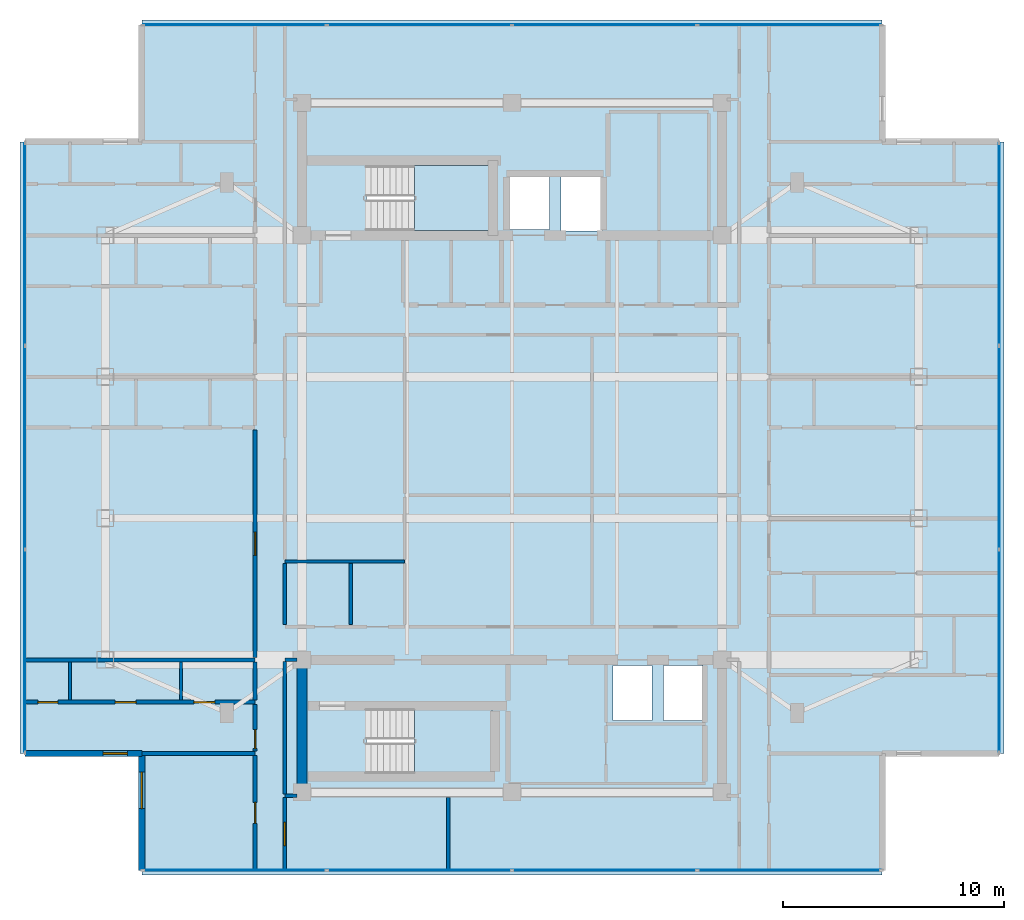
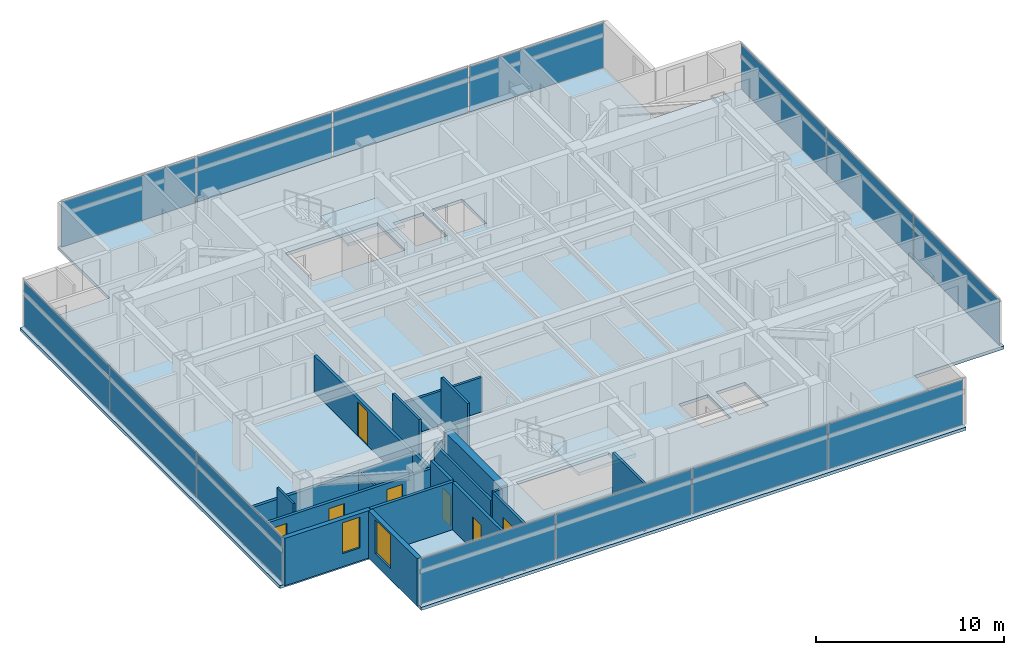
# One storey, part 7 of 14: 20 walls, 14 plates, 7 doors, 3 slabs, 2 windows, 9 openings, 6 elements without a shape of their own.
"""IFC4 building model written with IfcOpenShell, lengths in metres."""

import ifcopenshell
import ifcopenshell.guid

model = None  # the IFC model being written
_history = None  # IfcOwnerHistory: only IFC2X3 demands one
_inside = {}  # id of a spatial element -> (the spatial element, [elements in it])
_under = {}  # id of a project, library or spatial element -> (it, [spatial elements below it])
_declared = {}  # id of a project -> (the project, [libraries it declares])
_typed = {}  # id of a type object -> (the type object, [elements of that type])
_made_of = {}  # id of a material, layer set ... -> (it, [elements and type objects made of it])


def new_model(schema):
    """Start an empty IFC model of exactly this schema.

    Asked for "IFC4X3", IfcOpenShell would pick the latest addendum, in which some entities
    have other attributes; the version numbers below select the first issue.
    IFC2X3 requires an IfcOwnerHistory on every rooted entity: one is made here for all.
    """
    global model, _history
    if schema == "IFC4X3":
        model = ifcopenshell.file(schema_version=(4, 3, 0, 0))
    else:
        model = ifcopenshell.file(schema=schema)
    _inside.clear()
    _under.clear()
    _declared.clear()
    _typed.clear()
    _made_of.clear()
    _history = None
    if model.schema == "IFC2X3":
        org = make("IfcOrganization", Name="unknown")
        user = make(
            "IfcPersonAndOrganization",
            ThePerson=make("IfcPerson", FamilyName="unknown"),
            TheOrganization=org,
        )
        app = make(
            "IfcApplication",
            ApplicationDeveloper=org,
            Version="unknown",
            ApplicationFullName="unknown",
            ApplicationIdentifier="unknown",
        )
        _history = make(
            "IfcOwnerHistory",
            OwningUser=user,
            OwningApplication=app,
            ChangeAction="ADDED",
            CreationDate=0,
        )
    return model


def make(cls, **values):
    """One entity of the class cls with the attributes given. An attribute that is None is left unset."""
    return model.create_entity(
        cls, **{name: value for name, value in values.items() if value is not None}
    )


def rooted(cls, **values):
    """An entity with a GlobalId (a new one), such as an element, a storey or a relation."""
    return make(cls, GlobalId=ifcopenshell.guid.new(), OwnerHistory=_history, **values)


def si_unit(unit_type, name, prefix=None):
    """IfcSIUnit, for example si_unit("LENGTHUNIT", "METRE", prefix="MILLI")."""
    return make("IfcSIUnit", UnitType=unit_type, Prefix=prefix, Name=name)


def assignment(units):
    """IfcUnitAssignment: the units of a project."""
    return None if units is None else make("IfcUnitAssignment", Units=units)


def point(xyz):
    """IfcCartesianPoint."""
    return None if xyz is None else make("IfcCartesianPoint", Coordinates=xyz)


def direction(xyz):
    """IfcDirection."""
    return None if xyz is None else make("IfcDirection", DirectionRatios=xyz)


def frame(location, z_axis=None, x_axis=None):
    """IfcAxis2Placement3D, a coordinate frame: its origin and axes. An axis left out is left unset."""
    return make(
        "IfcAxis2Placement3D",
        Location=point(location),
        Axis=direction(z_axis),
        RefDirection=direction(x_axis),
    )


def frame_2d(location, x_axis=None):
    """IfcAxis2Placement2D, a coordinate frame in the plane: its origin and x axis."""
    return make(
        "IfcAxis2Placement2D", Location=point(location), RefDirection=direction(x_axis)
    )


def origin():
    """The frame at (0, 0, 0) with its axes left unset."""
    return frame((0.0, 0.0, 0.0))


def origin_2d():
    """The frame at (0, 0) in the plane with its x axis left unset."""
    return frame_2d((0.0, 0.0))


def place(relative_to, where):
    """IfcLocalPlacement: puts the frame where relative to a parent placement (None: the world)."""
    return make(
        "IfcLocalPlacement", PlacementRelTo=relative_to, RelativePlacement=where
    )


def context(
    kind, dimensions, precision=None, world=None, true_north=None, identifier=None
):
    """IfcGeometricRepresentationContext, for example the 3D "Model" context."""
    return make(
        "IfcGeometricRepresentationContext",
        ContextIdentifier=identifier,
        ContextType=kind,
        CoordinateSpaceDimension=dimensions,
        Precision=precision,
        WorldCoordinateSystem=world,
        TrueNorth=true_north,
    )


def subcontext(parent, identifier, kind, view, scale=None):
    """IfcGeometricRepresentationSubContext, for example "Body" below "Model"."""
    return make(
        "IfcGeometricRepresentationSubContext",
        ContextIdentifier=identifier,
        ContextType=kind,
        ParentContext=parent,
        TargetScale=scale,
        TargetView=view,
    )


def project(units=None, contexts=None):
    """IfcProject with its units and contexts."""
    return rooted(
        "IfcProject",
        Name="project",
        RepresentationContexts=contexts,
        UnitsInContext=assignment(units),
    )


def spatial(cls, under=None, at=None, **own):
    """A site, building, storey or space (cls), placed at a placement, below another one or the project."""
    s = rooted(cls, ObjectPlacement=at, **own)
    if under is not None:
        _under.setdefault(under.id(), (under, []))[1].append(s)
    return s


def polyline(points):
    """IfcPolyline through the points."""
    return make("IfcPolyline", Points=[point(p) for p in points])


def profile(cls, at=None, kind="AREA", **sizes):
    """A parametric profile (cls). Its sizes go by their IFC names, for example OverallWidth=200.0."""
    return make(cls, ProfileType=kind, Position=at, **sizes)


def rectangle(**sizes):
    """IfcRectangleProfileDef."""
    return profile("IfcRectangleProfileDef", **sizes)


def outline(outer, holes=None, kind="AREA"):
    """IfcArbitraryClosedProfileDef: a profile drawn as a closed curve; with holes, ...WithVoids."""
    if holes is None:
        return make("IfcArbitraryClosedProfileDef", ProfileType=kind, OuterCurve=outer)
    return make(
        "IfcArbitraryProfileDefWithVoids",
        ProfileType=kind,
        OuterCurve=outer,
        InnerCurves=holes,
    )


def extrude(swept, where, along, depth):
    """IfcExtrudedAreaSolid: the profile swept, set in the frame where, extruded along a direction by depth."""
    return make(
        "IfcExtrudedAreaSolid",
        SweptArea=swept,
        Position=where,
        ExtrudedDirection=direction(along),
        Depth=depth,
    )


def shape(context_of_items, identifier, shape_type, items):
    """IfcShapeRepresentation: the items that make up one representation, for example the "Body"."""
    return make(
        "IfcShapeRepresentation",
        ContextOfItems=context_of_items,
        RepresentationIdentifier=identifier,
        RepresentationType=shape_type,
        Items=items,
    )


def material(Name=None, Category=None):
    """IfcMaterial."""
    return make("IfcMaterial", Name=Name, Category=Category)


def layer(
    of_material, thickness, ventilated=None, Name=None, Category=None, Priority=None
):
    """IfcMaterialLayer: one layer of a wall or slab, of a material (None: an air gap)."""
    return make(
        "IfcMaterialLayer",
        Material=of_material,
        LayerThickness=thickness,
        IsVentilated=ventilated,
        Name=Name,
        Category=Category,
        Priority=Priority,
    )


def layer_set(layers, Name=None):
    """IfcMaterialLayerSet."""
    return make("IfcMaterialLayerSet", MaterialLayers=layers, LayerSetName=Name)


def made_of(thing, what):
    """Note that an element or type object is made of a material, layer set ...; save() writes the relation."""
    if what is not None:
        _made_of.setdefault(what.id(), (what, []))[1].append(thing)
    return thing


def type_object(cls, material=None, **own):
    """A type object (cls), such as IfcWallType, which elements share."""
    return made_of(rooted(cls, **own), material)


def element(
    cls,
    number,
    at=None,
    inside=None,
    cuts=None,
    type_object=None,
    material=None,
    context=None,
    identifier="Body",
    shape_type=None,
    held_by="IfcProductDefinitionShape",
    body=None,
    shapes=None,
    **own,
):
    """One element of the class cls, such as IfcWall. Its Tag is "e" and its number.

    at: its placement. inside: the storey or other place that contains it. cuts: it is an
    opening in that element (IfcRelVoidsElement). A single representation is given by context,
    identifier, shape_type and body (its items); several are given by shapes. held_by: the class
    of the entity that holds the representations. save() writes the other relations.
    """
    e = rooted(cls, Tag="e%d" % number, ObjectPlacement=at, **own)
    if body is not None:
        shapes = [shape(context, identifier, shape_type, body)]
    if shapes is not None:
        e.Representation = make(held_by, Representations=shapes)
    if inside is not None:
        _inside.setdefault(inside.id(), (inside, []))[1].append(e)
    if cuts is not None:
        rooted(
            "IfcRelVoidsElement", RelatingBuildingElement=cuts, RelatedOpeningElement=e
        )
    if type_object is not None:
        _typed.setdefault(type_object.id(), (type_object, []))[1].append(e)
    return made_of(e, material)


def fill(opening, filler):
    """IfcRelFillsElement: the door or window that sits in an opening."""
    return rooted(
        "IfcRelFillsElement",
        RelatingOpeningElement=opening,
        RelatedBuildingElement=filler,
    )


def aggregate(whole, parts):
    """IfcRelAggregates: a whole, such as a stair, and the parts it consists of."""
    return rooted("IfcRelAggregates", RelatingObject=whole, RelatedObjects=parts)


def save(model, path):
    """Write the relations noted so far, then the file.

    IfcRelAggregates (storeys below a building ...), IfcRelContainedInSpatialStructure (elements
    in a storey), IfcRelDefinesByType, IfcRelAssociatesMaterial and IfcRelDeclares: one each for
    every whole, place, type object, material and project.
    """
    for whole, parts in _under.values():
        aggregate(whole, parts)
    for where, things in _inside.values():
        rooted(
            "IfcRelContainedInSpatialStructure",
            RelatedElements=things,
            RelatingStructure=where,
        )
    for kind, things in _typed.values():
        rooted("IfcRelDefinesByType", RelatedObjects=things, RelatingType=kind)
    for what, things in _made_of.values():
        rooted("IfcRelAssociatesMaterial", RelatedObjects=things, RelatingMaterial=what)
    for by, libraries in _declared.values():
        rooted("IfcRelDeclares", RelatingContext=by, RelatedDefinitions=libraries)
    model.write(path)


model = new_model("IFC4")

# Units and contexts
model_context = context("Model", 3, precision=1e-05, world=origin(), true_north=direction((0.0, 1.0)))
body_context = subcontext(model_context, "Body", "Model", "MODEL_VIEW")
ifc_project = project(units=[si_unit("LENGTHUNIT", "METRE"), si_unit("AREAUNIT", "SQUARE_METRE"), si_unit("VOLUMEUNIT", "CUBIC_METRE"), si_unit("PLANEANGLEUNIT", "RADIAN"), si_unit("MASSUNIT", "GRAM", prefix="KILO")], contexts=[model_context])

# Site, building, storey
site_placement = place(None, origin())
site = spatial("IfcSite", under=ifc_project, at=site_placement, CompositionType="ELEMENT")
building_placement = place(site_placement, origin())
building = spatial("IfcBuilding", under=site, at=building_placement, Name="Mirazonda Arch Towers", CompositionType="ELEMENT")
storey_placement = place(building_placement, frame((0.0, 0.0, 242.5)))
storey = spatial("IfcBuildingStorey", under=building, at=storey_placement, Name="L69", CompositionType="ELEMENT", Elevation=242.5)

# Curtain wall, plates
ifc_material_1 = material(Name="Anodised Aluminium and Low-E Glass", Category="aluminium")
curtain_wall_type = type_object("IfcCurtainWallType", Name="CW-RES-UNIT", PredefinedType="NOTDEFINED", material=ifc_material_1)
curtain_wall_1_placement = place(storey_placement, origin())
curtain_wall_1 = element("IfcCurtainWall", 1, at=curtain_wall_1_placement, inside=storey, type_object=curtain_wall_type, Name="L69 T1 S Facade CW-L69-T1-S", PredefinedType="NOTDEFINED")
ifc_material_2 = material(Name="Insulated Low-E Solar Glass", Category="glass")
ifc_layer_1 = layer(ifc_material_2, 0.0400390625, Name="PAN-CW-RES-UNIT")
ifc_layer_set_1 = layer_set([ifc_layer_1], Name="Insulated Low-E Solar Glass")
plate_type = type_object("IfcPlateType", Name="PAN-CW-RES-UNIT", PredefinedType="CURTAIN_PANEL", material=ifc_layer_set_1)
plate_1_placement = place(storey_placement, frame((33.043701171875, 8.8740234375, 0.0751953125), z_axis=(0.0, 0.0, 1.0), x_axis=(-1.0, 0.0, 0.0)))
plate_1 = element("IfcPlate", 2, at=plate_1_placement, type_object=plate_type, Name="CW-104 panel 1.1", PredefinedType="CURTAIN_PANEL", context=body_context, shape_type="SweptSolid", body=[
    extrude(rectangle(XDim=8.262451171875, YDim=0.0400390625, at=origin_2d()), origin(), (0.0, 0.0, 1.0), 2.929931640625),
])
plate_2_placement = place(storey_placement, frame((24.6875, 8.8740234375, 0.0751953125), z_axis=(0.0, 0.0, 1.0), x_axis=(-1.0, 0.0, 0.0)))
plate_2 = element("IfcPlate", 3, at=plate_2_placement, type_object=plate_type, Name="CW-104 panel 2.1", PredefinedType="CURTAIN_PANEL", context=body_context, shape_type="SweptSolid", body=[
    extrude(rectangle(XDim=8.300048828125, YDim=0.0400390625, at=origin_2d()), origin(), (0.0, 0.0, 1.0), 2.929931640625),
])
plate_3_placement = place(storey_placement, frame((16.3125, 8.8740234375, 0.0751953125), z_axis=(0.0, 0.0, 1.0), x_axis=(-1.0, 0.0, 0.0)))
plate_3 = element("IfcPlate", 4, at=plate_3_placement, type_object=plate_type, Name="CW-104 panel 3.1", PredefinedType="CURTAIN_PANEL", context=body_context, shape_type="SweptSolid", body=[
    extrude(rectangle(XDim=8.300048828125, YDim=0.0400390625, at=origin_2d()), origin(), (0.0, 0.0, 1.0), 2.929931640625),
])
plate_4_placement = place(storey_placement, frame((7.956298828125, 8.8740234375, 0.0751953125), z_axis=(0.0, 0.0, 1.0), x_axis=(-1.0, 0.0, 0.0)))
plate_4 = element("IfcPlate", 5, at=plate_4_placement, type_object=plate_type, Name="CW-104 panel 4.1", PredefinedType="CURTAIN_PANEL", context=body_context, shape_type="SweptSolid", body=[
    extrude(rectangle(XDim=8.262451171875, YDim=0.0400390625, at=origin_2d()), origin(), (0.0, 0.0, 1.0), 2.929931640625),
])
aggregate(curtain_wall_1, [plate_1, plate_2, plate_3, plate_4])

curtain_wall_2_placement = place(storey_placement, origin())
curtain_wall_2 = element("IfcCurtainWall", 6, at=curtain_wall_2_placement, inside=storey, type_object=curtain_wall_type, Name="L69 T1 E Facade CW-L69-T1-E", PredefinedType="NOTDEFINED")
plate_5_placement = place(storey_placement, frame((42.5400390625, 18.794677734375, 0.0751953125), z_axis=(0.0, 0.0, 1.0), x_axis=(0.0, 1.0, 0.0)))
plate_5 = element("IfcPlate", 7, at=plate_5_placement, type_object=plate_type, Name="CW-104 panel 1.1", PredefinedType="CURTAIN_PANEL", context=body_context, shape_type="SweptSolid", body=[
    extrude(rectangle(XDim=9.111572265625, YDim=0.0400390625, at=origin_2d()), origin(), (0.0, 0.0, 1.0), 2.929931640625),
])
plate_6_placement = place(storey_placement, frame((42.5400390625, 28.0, 0.0751953125), z_axis=(0.0, 0.0, 1.0), x_axis=(0.0, 1.0, 0.0)))
plate_6 = element("IfcPlate", 8, at=plate_6_placement, type_object=plate_type, Name="CW-104 panel 2.1", PredefinedType="CURTAIN_PANEL", context=body_context, shape_type="SweptSolid", body=[
    extrude(rectangle(XDim=9.14892578125, YDim=0.0400390625, at=origin_2d()), origin(), (0.0, 0.0, 1.0), 2.929931640625),
])
plate_7_placement = place(storey_placement, frame((42.5400390625, 37.205322265625, 0.0751953125), z_axis=(0.0, 0.0, 1.0), x_axis=(0.0, 1.0, 0.0)))
plate_7 = element("IfcPlate", 9, at=plate_7_placement, type_object=plate_type, Name="CW-104 panel 3.1", PredefinedType="CURTAIN_PANEL", context=body_context, shape_type="SweptSolid", body=[
    extrude(rectangle(XDim=9.111572265625, YDim=0.0400390625, at=origin_2d()), origin(), (0.0, 0.0, 1.0), 2.929931640625),
])
aggregate(curtain_wall_2, [plate_5, plate_6, plate_7])

curtain_wall_3_placement = place(storey_placement, origin())
curtain_wall_3 = element("IfcCurtainWall", 10, at=curtain_wall_3_placement, inside=storey, type_object=curtain_wall_type, Name="L69 T1 N Facade CW-L69-T1-N", PredefinedType="NOTDEFINED")
plate_8_placement = place(storey_placement, frame((7.956298828125, 47.1259765625, 0.0751953125), z_axis=(0.0, 0.0, 1.0), x_axis=(1.0, 0.0, 0.0)))
plate_8 = element("IfcPlate", 11, at=plate_8_placement, type_object=plate_type, Name="CW-104 panel 1.1", PredefinedType="CURTAIN_PANEL", context=body_context, shape_type="SweptSolid", body=[
    extrude(rectangle(XDim=8.262451171875, YDim=0.0400390625, at=origin_2d()), origin(), (0.0, 0.0, 1.0), 2.929931640625),
])
plate_9_placement = place(storey_placement, frame((16.3125, 47.1259765625, 0.0751953125), z_axis=(0.0, 0.0, 1.0), x_axis=(1.0, 0.0, 0.0)))
plate_9 = element("IfcPlate", 12, at=plate_9_placement, type_object=plate_type, Name="CW-104 panel 2.1", PredefinedType="CURTAIN_PANEL", context=body_context, shape_type="SweptSolid", body=[
    extrude(rectangle(XDim=8.300048828125, YDim=0.0400390625, at=origin_2d()), origin(), (0.0, 0.0, 1.0), 2.929931640625),
])
plate_10_placement = place(storey_placement, frame((24.6875, 47.1259765625, 0.0751953125), z_axis=(0.0, 0.0, 1.0), x_axis=(1.0, 0.0, 0.0)))
plate_10 = element("IfcPlate", 13, at=plate_10_placement, type_object=plate_type, Name="CW-104 panel 3.1", PredefinedType="CURTAIN_PANEL", context=body_context, shape_type="SweptSolid", body=[
    extrude(rectangle(XDim=8.300048828125, YDim=0.0400390625, at=origin_2d()), origin(), (0.0, 0.0, 1.0), 2.929931640625),
])
plate_11_placement = place(storey_placement, frame((33.043701171875, 47.1259765625, 0.0751953125), z_axis=(0.0, 0.0, 1.0), x_axis=(1.0, 0.0, 0.0)))
plate_11 = element("IfcPlate", 14, at=plate_11_placement, type_object=plate_type, Name="CW-104 panel 4.1", PredefinedType="CURTAIN_PANEL", context=body_context, shape_type="SweptSolid", body=[
    extrude(rectangle(XDim=8.262451171875, YDim=0.0400390625, at=origin_2d()), origin(), (0.0, 0.0, 1.0), 2.929931640625),
])
aggregate(curtain_wall_3, [plate_8, plate_9, plate_10, plate_11])

curtain_wall_4_placement = place(storey_placement, origin())
curtain_wall_4 = element("IfcCurtainWall", 15, at=curtain_wall_4_placement, inside=storey, type_object=curtain_wall_type, Name="L69 T1 W Facade CW-L69-T1-W", PredefinedType="NOTDEFINED")
plate_12_placement = place(storey_placement, frame((-1.5400390625, 37.205322265625, 0.0751953125), z_axis=(0.0, 0.0, 1.0), x_axis=(0.0, -1.0, 0.0)))
plate_12 = element("IfcPlate", 16, at=plate_12_placement, type_object=plate_type, Name="CW-104 panel 1.1", PredefinedType="CURTAIN_PANEL", context=body_context, shape_type="SweptSolid", body=[
    extrude(rectangle(XDim=9.111572265625, YDim=0.0400390625, at=origin_2d()), origin(), (0.0, 0.0, 1.0), 2.929931640625),
])
plate_13_placement = place(storey_placement, frame((-1.5400390625, 28.0, 0.0751953125), z_axis=(0.0, 0.0, 1.0), x_axis=(0.0, -1.0, 0.0)))
plate_13 = element("IfcPlate", 17, at=plate_13_placement, type_object=plate_type, Name="CW-104 panel 2.1", PredefinedType="CURTAIN_PANEL", context=body_context, shape_type="SweptSolid", body=[
    extrude(rectangle(XDim=9.14892578125, YDim=0.0400390625, at=origin_2d()), origin(), (0.0, 0.0, 1.0), 2.929931640625),
])
plate_14_placement = place(storey_placement, frame((-1.5400390625, 18.794677734375, 0.0751953125), z_axis=(0.0, 0.0, 1.0), x_axis=(0.0, -1.0, 0.0)))
plate_14 = element("IfcPlate", 18, at=plate_14_placement, type_object=plate_type, Name="CW-104 panel 3.1", PredefinedType="CURTAIN_PANEL", context=body_context, shape_type="SweptSolid", body=[
    extrude(rectangle(XDim=9.111572265625, YDim=0.0400390625, at=origin_2d()), origin(), (0.0, 0.0, 1.0), 2.929931640625),
])
aggregate(curtain_wall_4, [plate_12, plate_13, plate_14])

# Stair, slab
ifc_material_3 = material(Name="Concrete C40/50", Category="concrete")
stair_type = type_object("IfcStairType", Name="STAIR-CORE-1400", PredefinedType="HALF_TURN_STAIR", material=ifc_material_3)
stair_1_placement = place(storey_placement, origin())
stair_1 = element("IfcStair", 19, at=stair_1_placement, inside=storey, type_object=stair_type, Name="L69 Protected Exit Stair ST-T1N", PredefinedType="HALF_TURN_STAIR")
ifc_layer_2 = layer(ifc_material_3, 0.18994140625, Name="SLAB-LANDING-190")
ifc_layer_set_2 = layer_set([ifc_layer_2], Name="Concrete C40/50")
slab_type_1 = type_object("IfcSlabType", Name="SLAB-LANDING-190", PredefinedType="LANDING", material=ifc_layer_set_2)
slab_1_placement = place(storey_placement, frame((0.0, 0.0, 1.449951171875)))
slab_1 = element("IfcSlab", 20, at=slab_1_placement, type_object=slab_type_1, Name="ST-T1N landing 1", PredefinedType="LANDING", context=body_context, shape_type="SweptSolid", body=[
    extrude(outline(polyline([(16.090087890625, 37.820068359375), (19.60009765625, 37.820068359375), (19.60009765625, 40.760009765625), (16.090087890625, 40.760009765625), (16.090087890625, 37.820068359375)])), origin(), (0.0, 0.0, 1.0), 0.199951171875),
])
aggregate(stair_1, [slab_1])

stair_2_placement = place(storey_placement, origin())
stair_2 = element("IfcStair", 21, at=stair_2_placement, inside=storey, type_object=stair_type, Name="L69 Protected Exit Stair ST-T1S", PredefinedType="HALF_TURN_STAIR")
slab_2_placement = place(storey_placement, frame((0.0, 0.0, 1.449951171875)))
slab_2 = element("IfcSlab", 22, at=slab_2_placement, type_object=slab_type_1, Name="ST-T1S landing 1", PredefinedType="LANDING", context=body_context, shape_type="SweptSolid", body=[
    extrude(outline(polyline([(16.090087890625, 13.25), (19.60009765625, 13.25), (19.60009765625, 16.18994140625), (16.090087890625, 16.18994140625), (16.090087890625, 13.25)])), origin(), (0.0, 0.0, 1.0), 0.199951171875),
])
aggregate(stair_2, [slab_2])

# Slab
ifc_layer_3 = layer(ifc_material_3, 0.199951171875, Name="SLAB-TWR-200")
ifc_layer_set_3 = layer_set([ifc_layer_3], Name="Concrete C40/50")
slab_type_2 = type_object("IfcSlabType", Name="SLAB-TWR-200", PredefinedType="FLOOR", material=ifc_layer_set_3)
slab_3_placement = place(storey_placement, frame((0.0, 0.0, -0.199951171875)))
element("IfcSlab", 23, at=slab_3_placement, inside=storey, type_object=slab_type_2, Name="L69 Tower 1 Floor Slab", PredefinedType="FLOOR", context=body_context, shape_type="SweptSolid", body=[
    extrude(outline(polyline([(3.75, 8.654052734375), (37.25, 8.654052734375), (37.25, 14.1640625), (42.760009765625, 14.1640625), (42.760009765625, 41.8359375), (37.25, 41.8359375), (37.25, 47.345947265625), (3.75, 47.345947265625), (3.75, 41.8359375), (-1.760009765625, 41.8359375), (-1.760009765625, 14.1640625), (3.75, 14.1640625), (3.75, 8.654052734375)]), holes=[polyline([(27.360107421875, 18.139892578125), (29.139892578125, 18.139892578125), (29.139892578125, 15.659912109375), (27.360107421875, 15.659912109375), (27.360107421875, 18.139892578125)]), polyline([(25.06005859375, 18.139892578125), (26.840087890625, 18.139892578125), (26.840087890625, 15.659912109375), (25.06005859375, 15.659912109375), (25.06005859375, 18.139892578125)]), polyline([(22.7099609375, 40.389892578125), (24.590087890625, 40.389892578125), (24.590087890625, 37.81005859375), (22.7099609375, 37.81005859375), (22.7099609375, 40.389892578125)]), polyline([(20.31005859375, 37.860107421875), (20.31005859375, 40.340087890625), (22.18994140625, 40.340087890625), (22.18994140625, 37.860107421875), (20.31005859375, 37.860107421875)]), polyline([(19.60009765625, 13.25), (13.925048828125, 13.25), (13.925048828125, 16.18994140625), (19.60009765625, 16.18994140625), (19.60009765625, 13.25)]), polyline([(13.925048828125, 37.820068359375), (13.925048828125, 40.760009765625), (19.60009765625, 40.760009765625), (19.60009765625, 37.820068359375), (13.925048828125, 37.820068359375)])]), origin(), (0.0, 0.0, 1.0), 0.199951171875),
])

# Wall
ifc_material_4 = material(Name="Concrete C50/60", Category="concrete")
ifc_layer_4 = layer(ifc_material_4, 0.449951171875, Name="WALL-CORE-450")
ifc_layer_set_4 = layer_set([ifc_layer_4], Name="Concrete C50/60")
wall_type_1 = type_object("IfcWallType", Name="WALL-CORE-450", PredefinedType="SHEAR", material=ifc_layer_set_4)
wall_1_placement = place(storey_placement, frame((11.0, 12.39990234375, 0.0), z_axis=(0.0, 0.0, 1.0), x_axis=(0.0, 1.0, 0.0)))
element("IfcWall", 24, at=wall_1_placement, inside=storey, type_object=wall_type_1, Name="L69 T1S-W Core Shear Wall", PredefinedType="SHEAR", context=body_context, shape_type="SweptSolid", body=[
    extrude(rectangle(XDim=6.0, YDim=0.449951171875, at=frame_2d((3.0, 0.0))), origin(), (0.0, 0.0, 1.0), 3.10009765625),
])

# Wall, opening, window
ifc_material_5 = material(Name="Precast Concrete C40/50", Category="concrete")
ifc_layer_5 = layer(ifc_material_5, 0.280029296875, Name="WALL-EXT-WALL-280")
ifc_layer_set_5 = layer_set([ifc_layer_5], Name="Precast Concrete C40/50")
wall_type_2 = type_object("IfcWallType", Name="WALL-EXT-WALL-280", PredefinedType="SOLIDWALL", material=ifc_layer_set_5)
wall_2_placement = place(storey_placement, frame((3.75, 14.1640625, 0.0), z_axis=(0.0, 0.0, 1.0), x_axis=(0.0, -1.0, 0.0)))
wall_2 = element("IfcWall", 25, at=wall_2_placement, inside=storey, type_object=wall_type_2, Name="L69 T1 Notched SW Corner Wall WL-L69-T1-CSW", PredefinedType="SOLIDWALL", context=body_context, shape_type="SweptSolid", body=[
    extrude(rectangle(XDim=5.2900390625, YDim=0.280029296875, at=frame_2d((2.64501953125, 0.0))), origin(), (0.0, 0.0, 1.0), 3.080078125),
])
opening_1_placement = place(wall_2_placement, frame((0.85009765625, 0.0, 0.72998046875)))
opening_1 = element("IfcOpeningElement", 26, at=opening_1_placement, cuts=wall_2, Name="Opening WN-115", PredefinedType="OPENING", context=body_context, shape_type="SweptSolid", body=[
    extrude(rectangle(XDim=1.64990234375, YDim=2.199951171875, at=frame_2d((0.824951171875, 1.10009765625))), frame((0.0, 0.14990234375, 0.0), z_axis=(0.0, -1.0, 0.0), x_axis=(1.0, 0.0, 0.0)), (0.0, 0.0, 1.0), 0.300048828125),
])
window_type_1 = type_object("IfcWindowType", Name="WIN-RES-1650x2200", PartitioningType="SINGLE_PANEL", PredefinedType="WINDOW", material=ifc_material_2)
window_1_placement = place(opening_1_placement, origin())
window_1 = element("IfcWindow", 27, at=window_1_placement, inside=storey, type_object=window_type_1, Name="L69 Punched Facade Window WN-L69-T1-CSW", OverallHeight=2.199951171875, OverallWidth=1.64990234375, PartitioningType="SINGLE_PANEL", PredefinedType="WINDOW", context=body_context, shape_type="SweptSolid", body=[
    extrude(rectangle(XDim=1.64990234375, YDim=2.199951171875, at=frame_2d((0.824951171875, 1.10009765625))), frame((0.0, 0.030029296875, 0.0), z_axis=(0.0, -1.0, 0.0), x_axis=(1.0, 0.0, 0.0)), (0.0, 0.0, 1.0), 0.06005859375),
])
fill(opening_1, window_1)

wall_3_placement = place(storey_placement, frame((-1.5400390625, 14.1640625, 0.0), z_axis=(0.0, 0.0, 1.0), x_axis=(1.0, 0.0, 0.0)))
wall_3 = element("IfcWall", 28, at=wall_3_placement, inside=storey, type_object=wall_type_2, Name="L69 T1 Corner Notch Return Wall WL-L69-T1-CSW2", PredefinedType="SOLIDWALL", context=body_context, shape_type="SweptSolid", body=[
    extrude(rectangle(XDim=5.2900390625, YDim=0.280029296875, at=frame_2d((2.64501953125, 0.0))), origin(), (0.0, 0.0, 1.0), 3.080078125),
])
opening_2_placement = place(wall_3_placement, frame((3.5400390625, 0.0, 0.85009765625)))
opening_2 = element("IfcOpeningElement", 29, at=opening_2_placement, cuts=wall_3, Name="Opening WN-108", PredefinedType="OPENING", context=body_context, shape_type="SweptSolid", body=[
    extrude(rectangle(XDim=1.10009765625, YDim=2.0, at=frame_2d((0.550048828125, 1.0))), frame((0.0, 0.14990234375, 0.0), z_axis=(0.0, -1.0, 0.0), x_axis=(1.0, 0.0, 0.0)), (0.0, 0.0, 1.0), 0.300048828125),
])
window_type_2 = type_object("IfcWindowType", Name="WIN-NOTCH-1100x2000", PartitioningType="SINGLE_PANEL", PredefinedType="WINDOW", material=ifc_material_2)
window_2_placement = place(opening_2_placement, origin())
window_2 = element("IfcWindow", 30, at=window_2_placement, inside=storey, type_object=window_type_2, Name="L69 Punched Facade Window WN-L69-T1-CSW2", OverallHeight=2.0, OverallWidth=1.10009765625, PartitioningType="SINGLE_PANEL", PredefinedType="WINDOW", context=body_context, shape_type="SweptSolid", body=[
    extrude(rectangle(XDim=1.10009765625, YDim=2.0, at=frame_2d((0.550048828125, 1.0))), frame((0.0, 0.030029296875, 0.0), z_axis=(0.0, -1.0, 0.0), x_axis=(1.0, 0.0, 0.0)), (0.0, 0.0, 1.0), 0.06005859375),
])
fill(opening_2, window_2)

# Walls
ifc_material_6 = material(Name="Fire-Rated Gypsum Stud Partition")
ifc_layer_6 = layer(ifc_material_6, 0.14990234375, Name="WALL-PART-CORR-150")
ifc_layer_set_6 = layer_set([ifc_layer_6], Name="Fire-Rated Gypsum Stud Partition")
wall_type_3 = type_object("IfcWallType", Name="WALL-PART-CORR-150", PredefinedType="PARTITIONING", material=ifc_layer_set_6)
wall_4_placement = place(storey_placement, frame((10.219970703125, 12.25, 0.0), z_axis=(0.0, 0.0, 1.0), x_axis=(1.0, 0.0, 0.0)))
element("IfcWall", 31, at=wall_4_placement, inside=storey, type_object=wall_type_3, Name="L69 Interior Partition 001", PredefinedType="PARTITIONING", context=body_context, shape_type="SweptSolid", body=[
    extrude(rectangle(XDim=0.56005859375, YDim=0.14990234375, at=frame_2d((0.280029296875, 0.0))), origin(), (0.0, 0.0, 1.0), 3.10009765625),
])
wall_5_placement = place(storey_placement, frame((10.219970703125, 18.39990234375, 0.0), z_axis=(0.0, 0.0, 1.0), x_axis=(1.0, 0.0, 0.0)))
element("IfcWall", 32, at=wall_5_placement, inside=storey, type_object=wall_type_3, Name="L69 Interior Partition 012", PredefinedType="PARTITIONING", context=body_context, shape_type="SweptSolid", body=[
    extrude(rectangle(XDim=0.56005859375, YDim=0.14990234375, at=frame_2d((0.280029296875, 0.0))), origin(), (0.0, 0.0, 1.0), 2.491943359375),
])
wall_6_placement = place(storey_placement, frame((10.219970703125, 22.85009765625, 0.0), z_axis=(0.0, 0.0, 1.0), x_axis=(1.0, 0.0, 0.0)))
element("IfcWall", 33, at=wall_6_placement, inside=storey, type_object=wall_type_3, Name="L69 Interior Partition 017", PredefinedType="PARTITIONING", context=body_context, shape_type="SweptSolid", body=[
    extrude(rectangle(XDim=5.419921875, YDim=0.14990234375, at=frame_2d((2.7099609375, 0.0))), origin(), (0.0, 0.0, 1.0), 2.236083984375),
])

# Wall, opening, door
wall_7_placement = place(storey_placement, frame((10.219970703125, 8.8740234375, 0.0), z_axis=(0.0, 0.0, 1.0), x_axis=(0.0, 1.0, 0.0)))
wall_7 = element("IfcWall", 34, at=wall_7_placement, inside=storey, type_object=wall_type_3, Name="L69 Interior Partition 057", PredefinedType="PARTITIONING", context=body_context, shape_type="SweptSolid", body=[
    extrude(rectangle(XDim=3.291015625, YDim=0.14990234375, at=frame_2d((1.6455078125, 0.0))), origin(), (0.0, 0.0, 1.0), 3.10009765625),
])
opening_3_placement = place(wall_7_placement, frame((1.12060546875, 0.0, 0.0)))
opening_3 = element("IfcOpeningElement", 35, at=opening_3_placement, cuts=wall_7, Name="Opening DR-121", PredefinedType="OPENING", context=body_context, shape_type="SweptSolid", body=[
    extrude(rectangle(XDim=1.050048828125, YDim=2.199951171875, at=frame_2d((0.52490234375, 1.10009765625))), frame((0.0, 0.0849609375, 0.0), z_axis=(0.0, -1.0, 0.0), x_axis=(1.0, 0.0, 0.0)), (0.0, 0.0, 1.0), 0.169921875),
])
ifc_material_7 = material(Name="Architectural Brushed Steel S355", Category="steel")
door_type_1 = type_object("IfcDoorType", Name="DOOR-SUITE-FD60-1050", OperationType="NOTDEFINED", PredefinedType="DOOR", material=ifc_material_7)
door_1_placement = place(opening_3_placement, origin())
door_1 = element("IfcDoor", 36, at=door_1_placement, inside=storey, type_object=door_type_1, Name="L69 South Panoramic Study Minor Door", OperationType="SINGLE_SWING_LEFT", OverallHeight=2.199951171875, OverallWidth=1.050048828125, PredefinedType="DOOR", context=body_context, shape_type="SweptSolid", body=[
    extrude(rectangle(XDim=1.050048828125, YDim=2.199951171875, at=frame_2d((0.52490234375, 1.10009765625))), frame((0.0, 0.02490234375, 0.0), z_axis=(0.0, -1.0, 0.0), x_axis=(1.0, 0.0, 0.0)), (0.0, 0.0, 1.0), 0.050048828125),
])
fill(opening_3, door_1)

# Walls
wall_8_placement = place(storey_placement, frame((10.219970703125, 12.3349609375, 0.0), z_axis=(0.0, 0.0, 1.0), x_axis=(0.0, 1.0, 0.0)))
element("IfcWall", 37, at=wall_8_placement, inside=storey, type_object=wall_type_3, Name="L69 Interior Partition 058", PredefinedType="PARTITIONING", context=body_context, shape_type="SweptSolid", body=[
    extrude(rectangle(XDim=5.97998046875, YDim=0.14990234375, at=frame_2d((2.989990234375, 0.0))), origin(), (0.0, 0.0, 1.0), 2.491943359375),
])
for number, where, z_axis, x_axis, name in (
    (38, (10.219970703125, 19.985107421875, 0.0), (0.0, 0.0, 1.0), (0.0, 1.0, 0.0), "L69 Interior Partition 059"),
    (39, (13.199951171875, 19.985107421875, 0.0), (0.0, 0.0, 1.0), (0.0, 1.0, 0.0), "L69 Interior Partition 064"),
):
    element("IfcWall", number, at=place(storey_placement, frame(where, z_axis=z_axis, x_axis=x_axis)), inside=storey, type_object=wall_type_3, Name=name, PredefinedType="PARTITIONING", context=body_context, shape_type="SweptSolid", body=[
        extrude(rectangle(XDim=2.77978515625, YDim=0.14990234375, at=frame_2d((1.389892578125, 0.0))), origin(), (0.0, 0.0, 1.0), 3.10009765625),
    ])
wall_9_placement = place(storey_placement, frame((17.6220703125, 8.8740234375, 0.0), z_axis=(0.0, 0.0, 1.0), x_axis=(0.0, 1.0, 0.0)))
element("IfcWall", 40, at=wall_9_placement, inside=storey, type_object=wall_type_3, Name="L69 Interior Partition 069", PredefinedType="PARTITIONING", context=body_context, shape_type="SweptSolid", body=[
    extrude(rectangle(XDim=3.305908203125, YDim=0.14990234375, at=frame_2d((1.65283203125, 0.0))), origin(), (0.0, 0.0, 1.0), 3.10009765625),
])
ifc_material_8 = material(Name="Fire-Rated Gypsum Twin-Stud Assembly")
ifc_layer_7 = layer(ifc_material_8, 0.179931640625, Name="WALL-PART-DEMISE-180")
ifc_layer_set_7 = layer_set([ifc_layer_7], Name="Fire-Rated Gypsum Twin-Stud Assembly")
wall_type_4 = type_object("IfcWallType", Name="WALL-PART-DEMISE-180", PredefinedType="PARTITIONING", material=ifc_layer_set_7)
wall_10_placement = place(storey_placement, frame((3.77001953125, 14.1640625, 0.0), z_axis=(0.0, 0.0, 1.0), x_axis=(1.0, 0.0, 0.0)))
element("IfcWall", 41, at=wall_10_placement, inside=storey, type_object=wall_type_4, Name="L69 Interior Partition 005", PredefinedType="PARTITIONING", context=body_context, shape_type="SweptSolid", body=[
    extrude(rectangle(XDim=5.10986328125, YDim=0.179931640625, at=frame_2d((2.554931640625, 0.0))), origin(), (0.0, 0.0, 1.0), 3.10009765625),
])

# Wall, openings, doors
wall_11_placement = place(storey_placement, frame((-1.5400390625, 16.47998046875, 0.0), z_axis=(0.0, 0.0, 1.0), x_axis=(1.0, 0.0, 0.0)))
wall_11 = element("IfcWall", 42, at=wall_11_placement, inside=storey, type_object=wall_type_4, Name="L69 Interior Partition 009", PredefinedType="PARTITIONING", context=body_context, shape_type="SweptSolid", body=[
    extrude(rectangle(XDim=10.419921875, YDim=0.179931640625, at=frame_2d((5.2099609375, 0.0))), origin(), (0.0, 0.0, 1.0), 2.54296875),
])
opening_4_placement = place(wall_11_placement, frame((4.0791015625, 0.0, 0.0)))
opening_4 = element("IfcOpeningElement", 43, at=opening_4_placement, cuts=wall_11, Name="Opening DR-104", PredefinedType="OPENING", context=body_context, shape_type="SweptSolid", body=[
    extrude(rectangle(XDim=0.949951171875, YDim=2.14990234375, at=frame_2d((0.47509765625, 1.074951171875))), frame((0.0, 0.099853515625, 0.0), z_axis=(0.0, -1.0, 0.0), x_axis=(1.0, 0.0, 0.0)), (0.0, 0.0, 1.0), 0.199951171875),
])
opening_5_placement = place(wall_11_placement, frame((7.64892578125, 0.0, 0.0)))
opening_5 = element("IfcOpeningElement", 44, at=opening_5_placement, cuts=wall_11, Name="Opening DR-104", PredefinedType="OPENING", context=body_context, shape_type="SweptSolid", body=[
    extrude(rectangle(XDim=0.949951171875, YDim=2.14990234375, at=frame_2d((0.47509765625, 1.074951171875))), frame((0.0, 0.099853515625, 0.0), z_axis=(0.0, -1.0, 0.0), x_axis=(1.0, 0.0, 0.0)), (0.0, 0.0, 1.0), 0.199951171875),
])
opening_6_placement = place(wall_11_placement, frame((0.590087890625, 0.0, 0.0)))
opening_6 = element("IfcOpeningElement", 45, at=opening_6_placement, cuts=wall_11, Name="Opening DR-120", PredefinedType="OPENING", context=body_context, shape_type="SweptSolid", body=[
    extrude(rectangle(XDim=0.89990234375, YDim=2.10009765625, at=frame_2d((0.449951171875, 1.050048828125))), frame((0.0, 0.099853515625, 0.0), z_axis=(0.0, -1.0, 0.0), x_axis=(1.0, 0.0, 0.0)), (0.0, 0.0, 1.0), 0.199951171875),
])
door_type_2 = type_object("IfcDoorType", Name="DOOR-ROOM-950", OperationType="NOTDEFINED", PredefinedType="DOOR", material=ifc_material_7)
door_2_placement = place(opening_4_placement, origin())
door_2 = element("IfcDoor", 46, at=door_2_placement, inside=storey, type_object=door_type_2, Name="L69 Residence 1 Principal Bedroom Door", OperationType="SINGLE_SWING_LEFT", OverallHeight=2.14990234375, OverallWidth=0.949951171875, PredefinedType="DOOR", context=body_context, shape_type="SweptSolid", body=[
    extrude(rectangle(XDim=0.949951171875, YDim=2.14990234375, at=frame_2d((0.47509765625, 1.074951171875))), frame((0.0, 0.02490234375, 0.0), z_axis=(0.0, -1.0, 0.0), x_axis=(1.0, 0.0, 0.0)), (0.0, 0.0, 1.0), 0.050048828125),
])
fill(opening_4, door_2)
door_3_placement = place(opening_5_placement, origin())
door_3 = element("IfcDoor", 47, at=door_3_placement, inside=storey, type_object=door_type_2, Name="L69 Residence 1 Fitted Kitchen Door", OperationType="SINGLE_SWING_RIGHT", OverallHeight=2.14990234375, OverallWidth=0.949951171875, PredefinedType="DOOR", context=body_context, shape_type="SweptSolid", body=[
    extrude(rectangle(XDim=0.949951171875, YDim=2.14990234375, at=frame_2d((0.47509765625, 1.074951171875))), frame((0.0, 0.02490234375, 0.0), z_axis=(0.0, -1.0, 0.0), x_axis=(1.0, 0.0, 0.0)), (0.0, 0.0, 1.0), 0.050048828125),
])
fill(opening_5, door_3)
door_type_3 = type_object("IfcDoorType", Name="DOOR-WC-900", OperationType="NOTDEFINED", PredefinedType="DOOR", material=ifc_material_7)
door_4_placement = place(opening_6_placement, origin())
door_4 = element("IfcDoor", 48, at=door_4_placement, inside=storey, type_object=door_type_3, Name="L69 Residence 1 Bathroom Door", OperationType="SINGLE_SWING_LEFT", OverallHeight=2.10009765625, OverallWidth=0.89990234375, PredefinedType="DOOR", context=body_context, shape_type="SweptSolid", body=[
    extrude(rectangle(XDim=0.89990234375, YDim=2.10009765625, at=frame_2d((0.449951171875, 1.050048828125))), frame((0.0, 0.02490234375, 0.0), z_axis=(0.0, -1.0, 0.0), x_axis=(1.0, 0.0, 0.0)), (0.0, 0.0, 1.0), 0.050048828125),
])
fill(opening_6, door_4)

# Wall
wall_12_placement = place(storey_placement, frame((-1.5400390625, 18.39990234375, 0.0), z_axis=(0.0, 0.0, 1.0), x_axis=(1.0, 0.0, 0.0)))
element("IfcWall", 49, at=wall_12_placement, inside=storey, type_object=wall_type_4, Name="L69 Interior Partition 011", PredefinedType="PARTITIONING", context=body_context, shape_type="SweptSolid", body=[
    extrude(rectangle(XDim=10.419921875, YDim=0.179931640625, at=frame_2d((5.2099609375, 0.0))), origin(), (0.0, 0.0, 1.0), 2.319091796875),
])

# Wall, opening, door
wall_13_placement = place(storey_placement, frame((8.8798828125, 8.8740234375, 0.0), z_axis=(0.0, 0.0, 1.0), x_axis=(0.0, 1.0, 0.0)))
wall_13 = element("IfcWall", 50, at=wall_13_placement, inside=storey, type_object=wall_type_4, Name="L69 Interior Partition 047", PredefinedType="PARTITIONING", context=body_context, shape_type="SweptSolid", body=[
    extrude(rectangle(XDim=5.18994140625, YDim=0.179931640625, at=frame_2d((2.594970703125, 0.0))), origin(), (0.0, 0.0, 1.0), 3.10009765625),
])
opening_7_placement = place(wall_13_placement, frame((2.1201171875, 0.0, 0.0)))
opening_7 = element("IfcOpeningElement", 51, at=opening_7_placement, cuts=wall_13, Name="Opening DR-104", PredefinedType="OPENING", context=body_context, shape_type="SweptSolid", body=[
    extrude(rectangle(XDim=0.949951171875, YDim=2.14990234375, at=frame_2d((0.47509765625, 1.074951171875))), frame((0.0, 0.099853515625, 0.0), z_axis=(0.0, -1.0, 0.0), x_axis=(1.0, 0.0, 0.0)), (0.0, 0.0, 1.0), 0.199951171875),
])
door_5_placement = place(opening_7_placement, origin())
door_5 = element("IfcDoor", 52, at=door_5_placement, inside=storey, type_object=door_type_2, Name="L69 South Panoramic Study Alcove West Door", OperationType="SINGLE_SWING_LEFT", OverallHeight=2.14990234375, OverallWidth=0.949951171875, PredefinedType="DOOR", context=body_context, shape_type="SweptSolid", body=[
    extrude(rectangle(XDim=0.949951171875, YDim=2.14990234375, at=frame_2d((0.47509765625, 1.074951171875))), frame((0.0, 0.02490234375, 0.0), z_axis=(0.0, -1.0, 0.0), x_axis=(1.0, 0.0, 0.0)), (0.0, 0.0, 1.0), 0.050048828125),
])
fill(opening_7, door_5)

wall_14_placement = place(storey_placement, frame((8.8798828125, 14.263916015625, 0.0), z_axis=(0.0, 0.0, 1.0), x_axis=(0.0, 1.0, 0.0)))
wall_14 = element("IfcWall", 53, at=wall_14_placement, inside=storey, type_object=wall_type_4, Name="L69 Interior Partition 048", PredefinedType="PARTITIONING", context=body_context, shape_type="SweptSolid", body=[
    extrude(rectangle(XDim=2.115966796875, YDim=0.179931640625, at=frame_2d((1.05810546875, 0.0))), origin(), (0.0, 0.0, 1.0), 3.10009765625),
])
opening_8_placement = place(wall_14_placement, frame((0.1201171875, 0.0, 0.0)))
opening_8 = element("IfcOpeningElement", 54, at=opening_8_placement, cuts=wall_14, Name="Opening DR-128", PredefinedType="OPENING", context=body_context, shape_type="SweptSolid", body=[
    extrude(rectangle(XDim=0.85009765625, YDim=2.010009765625, at=frame_2d((0.425048828125, 1.0048828125))), frame((0.0, 0.099853515625, 0.0), z_axis=(0.0, -1.0, 0.0), x_axis=(1.0, 0.0, 0.0)), (0.0, 0.0, 1.0), 0.199951171875),
])
door_type_4 = type_object("IfcDoorType", Name="DOOR-RISER-FD60-850", OperationType="NOTDEFINED", PredefinedType="DOOR", material=ifc_material_7)
door_6_placement = place(opening_8_placement, origin())
door_6 = element("IfcDoor", 55, at=door_6_placement, inside=storey, type_object=door_type_4, Name="L69 Residence 1 Living & Dining Salon Door", OperationType="SINGLE_SWING_RIGHT", OverallHeight=2.010009765625, OverallWidth=0.85009765625, PredefinedType="DOOR", context=body_context, shape_type="SweptSolid", body=[
    extrude(rectangle(XDim=0.85009765625, YDim=2.010009765625, at=frame_2d((0.425048828125, 1.0048828125))), frame((0.0, 0.02490234375, 0.0), z_axis=(0.0, -1.0, 0.0), x_axis=(1.0, 0.0, 0.0)), (0.0, 0.0, 1.0), 0.050048828125),
])
fill(opening_8, door_6)

# Wall
wall_15_placement = place(storey_placement, frame((8.8798828125, 16.580078125, 0.0), z_axis=(0.0, 0.0, 1.0), x_axis=(0.0, 1.0, 0.0)))
element("IfcWall", 56, at=wall_15_placement, inside=storey, type_object=wall_type_4, Name="L69 Interior Partition 049", PredefinedType="PARTITIONING", context=body_context, shape_type="SweptSolid", body=[
    extrude(rectangle(XDim=1.719970703125, YDim=0.179931640625, at=frame_2d((0.85986328125, 0.0))), origin(), (0.0, 0.0, 1.0), 2.491943359375),
])

# Wall, opening, door
wall_16_placement = place(storey_placement, frame((8.8798828125, 18.5, 0.0), z_axis=(0.0, 0.0, 1.0), x_axis=(0.0, 1.0, 0.0)))
wall_16 = element("IfcWall", 57, at=wall_16_placement, inside=storey, type_object=wall_type_4, Name="L69 Interior Partition 050", PredefinedType="PARTITIONING", context=body_context, shape_type="SweptSolid", body=[
    extrude(rectangle(XDim=10.300048828125, YDim=0.179931640625, at=frame_2d((5.14990234375, 0.0))), origin(), (0.0, 0.0, 1.0), 2.39599609375),
])
opening_9_placement = place(wall_16_placement, frame((4.625, 0.0, 0.0)))
opening_9 = element("IfcOpeningElement", 58, at=opening_9_placement, cuts=wall_16, Name="Opening DR-121", PredefinedType="OPENING", context=body_context, shape_type="SweptSolid", body=[
    extrude(rectangle(XDim=1.050048828125, YDim=2.199951171875, at=frame_2d((0.52490234375, 1.10009765625))), frame((0.0, 0.099853515625, 0.0), z_axis=(0.0, -1.0, 0.0), x_axis=(1.0, 0.0, 0.0)), (0.0, 0.0, 1.0), 0.199951171875),
])
door_7_placement = place(opening_9_placement, origin())
door_7 = element("IfcDoor", 59, at=door_7_placement, inside=storey, type_object=door_type_1, Name="L69 Penthouse Residence 2 Living & Dining Salon Door", OperationType="SINGLE_SWING_RIGHT", OverallHeight=2.199951171875, OverallWidth=1.050048828125, PredefinedType="DOOR", context=body_context, shape_type="SweptSolid", body=[
    extrude(rectangle(XDim=1.050048828125, YDim=2.199951171875, at=frame_2d((0.52490234375, 1.10009765625))), frame((0.0, 0.02490234375, 0.0), z_axis=(0.0, -1.0, 0.0), x_axis=(1.0, 0.0, 0.0)), (0.0, 0.0, 1.0), 0.050048828125),
])
fill(opening_9, door_7)

# Walls
ifc_material_9 = material(Name="Acoustic Fire-Rated Gypsum Partition")
ifc_layer_8 = layer(ifc_material_9, 0.125, Name="WALL-PART-UNIT-125")
ifc_layer_set_8 = layer_set([ifc_layer_8], Name="Acoustic Fire-Rated Gypsum Partition")
wall_type_5 = type_object("IfcWallType", Name="WALL-PART-UNIT-125", PredefinedType="PARTITIONING", material=ifc_layer_set_8)
wall_17_placement = place(storey_placement, frame((0.5, 16.580078125, 0.0), z_axis=(0.0, 0.0, 1.0), x_axis=(0.0, 1.0, 0.0)))
element("IfcWall", 60, at=wall_17_placement, inside=storey, type_object=wall_type_5, Name="L69 Interior Partition 039", PredefinedType="PARTITIONING", context=body_context, shape_type="SweptSolid", body=[
    extrude(rectangle(XDim=1.719970703125, YDim=0.125, at=frame_2d((0.85986328125, 0.0))), origin(), (0.0, 0.0, 1.0), 3.10009765625),
])
wall_18_placement = place(storey_placement, frame((5.528076171875, 16.580078125, 0.0), z_axis=(0.0, 0.0, 1.0), x_axis=(0.0, 1.0, 0.0)))
element("IfcWall", 61, at=wall_18_placement, inside=storey, type_object=wall_type_5, Name="L69 Interior Partition 043", PredefinedType="PARTITIONING", context=body_context, shape_type="SweptSolid", body=[
    extrude(rectangle(XDim=1.719970703125, YDim=0.125, at=frame_2d((0.85986328125, 0.0))), origin(), (0.0, 0.0, 1.0), 2.491943359375),
])

save(model, "model.ifc")
